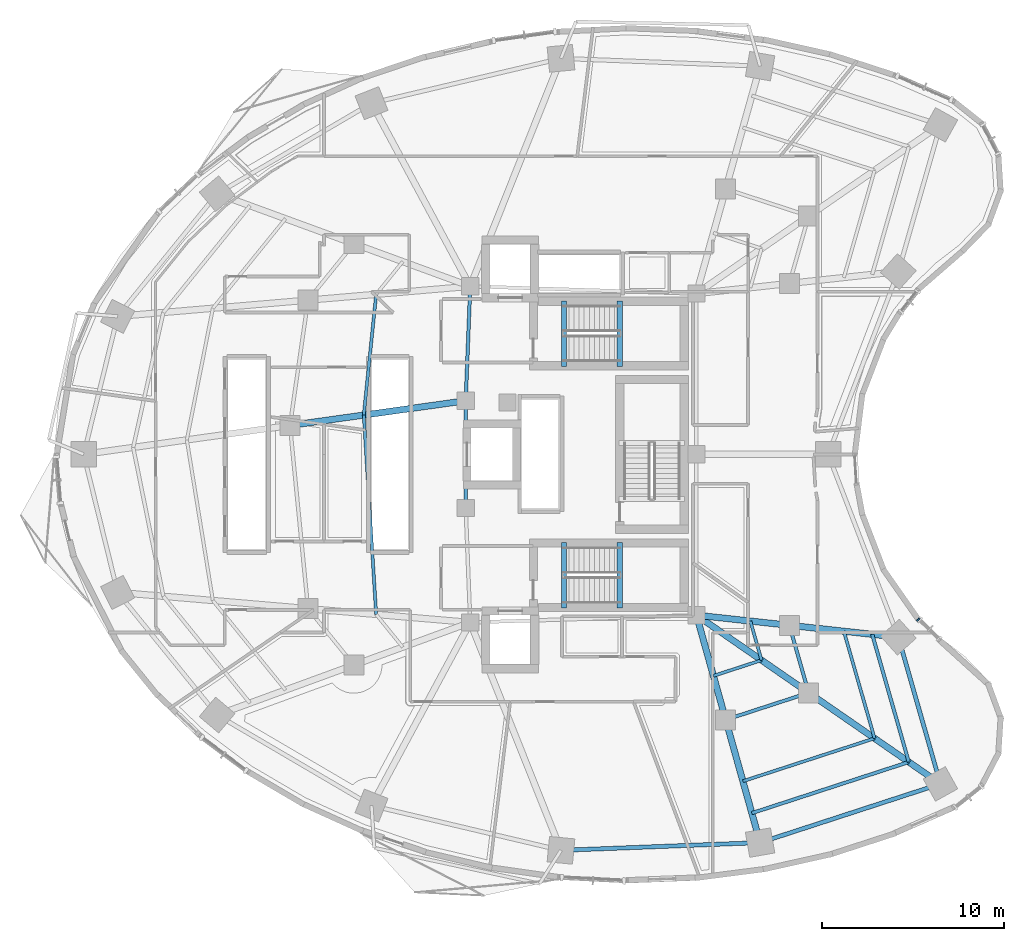
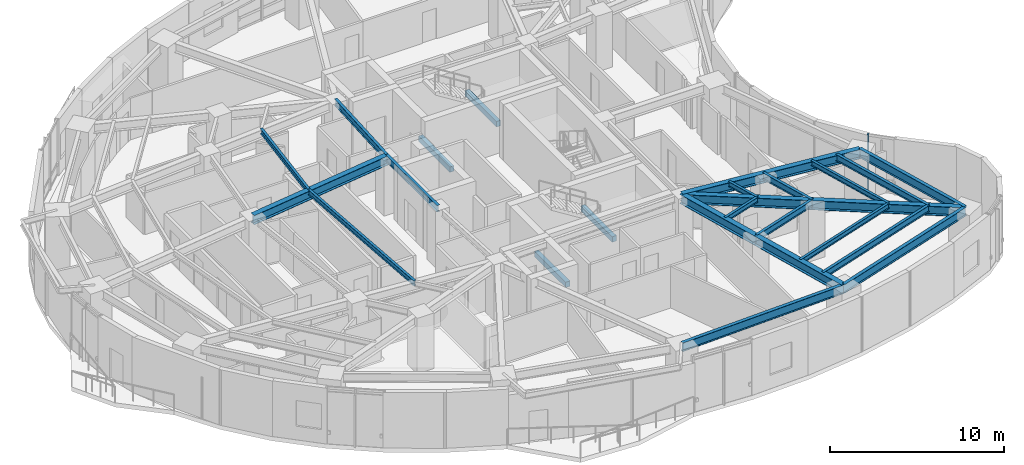
# One storey, part 3 of 16: 26 beams, 1 member, 1 element without a shape of its own.
"""IFC4 building model written with IfcOpenShell, lengths in metres."""

from ifc_helpers import new_model, si_unit, direction, frame, origin, origin_2d, place, context, subcontext, project, spatial, rectangle, i_section, extrude, material, layer, layer_set, material_profile, profile_set, type_object, element, aggregate, save


model = new_model("IFC4")

# Units and contexts
model_context = context("Model", 3, precision=1e-05, world=origin(), true_north=direction((0.0, 1.0)))
body_context = subcontext(model_context, "Body", "Model", "MODEL_VIEW")
ifc_project = project(units=[si_unit("LENGTHUNIT", "METRE"), si_unit("AREAUNIT", "SQUARE_METRE"), si_unit("VOLUMEUNIT", "CUBIC_METRE"), si_unit("PLANEANGLEUNIT", "RADIAN"), si_unit("MASSUNIT", "GRAM", prefix="KILO")], contexts=[model_context])

# Site, building, storey
site_placement = place(None, origin())
site = spatial("IfcSite", under=ifc_project, at=site_placement, CompositionType="ELEMENT")
building_placement = place(site_placement, origin())
building = spatial("IfcBuilding", under=site, at=building_placement, Name="Korentha Bioscience Tower", CompositionType="ELEMENT")
storey_placement = place(building_placement, frame((0.0, 0.0, 55.199951171875)))
storey = spatial("IfcBuildingStorey", under=building, at=storey_placement, Name="L12", CompositionType="ELEMENT", Elevation=55.199951171875)

# Beams
ifc_material_1 = material(Name="Concrete C50", Category="concrete")
ifc_material_profile_1 = material_profile(ifc_material_1, rectangle(XDim=0.280029296875, YDim=0.3798828125, at=origin_2d()), Name="Concrete C50")
ifc_profile_set_1 = profile_set([ifc_material_profile_1], Name="Concrete C50 (ST-HB380)")
beam_type_1 = type_object("IfcBeamType", Name="Concrete Stair Header Beam RC 280x380", PredefinedType="BEAM", material=ifc_profile_set_1)
for number, where, z_axis, x_axis, name in (
    (1, (30.25, 31.85009765625, -0.18994140625), (0.0, 1.0, 0.0), (-1.0, 0.0, 0.0), "L12 ST-1 Concrete Stair Header Beam"),
    (2, (33.330078125, 31.85009765625, 1.91015625), (0.0, 1.0, 0.0), (-1.0, 0.0, 0.0), "L12 ST-1 Half-Landing Header Beam 1"),
    (3, (30.25, 18.550048828125, -0.18994140625), (0.0, 1.0, 0.0), (-1.0, 0.0, 0.0), "L12 ST-2 Concrete Stair Header Beam"),
    (4, (33.330078125, 18.550048828125, 1.91015625), (0.0, 1.0, 0.0), (-1.0, 0.0, 0.0), "L12 ST-2 Half-Landing Header Beam 1"),
):
    element("IfcBeam", number, at=place(storey_placement, frame(where, z_axis=z_axis, x_axis=x_axis)), inside=storey, type_object=beam_type_1, Name=name, PredefinedType="BEAM", context=body_context, shape_type="SweptSolid", body=[
        extrude(rectangle(XDim=0.280029296875, YDim=0.3798828125, at=origin_2d()), origin(), (0.0, 0.0, 1.0), 3.599853515625),
    ])
ifc_material_2 = material(Name="Steel S355", Category="steel")
ifc_material_profile_2 = material_profile(ifc_material_2, i_section(OverallWidth=0.18994140625, OverallDepth=0.45703125, WebThickness=0.009033203125, FlangeThickness=0.014404296875, at=origin_2d()), Name="Steel S355")
ifc_profile_set_2 = profile_set([ifc_material_profile_2], Name="Steel S355 (MB-460)")
beam_type_2 = type_object("IfcBeamType", Name="Mid-Ring Tie Girder W460x74", PredefinedType="BEAM", material=ifc_profile_set_2)
beam_1_placement = place(storey_placement, frame((39.1611328125, 12.392333984375, 3.671630859375), z_axis=(0.950877001105, 0.309568940253, 0.0), x_axis=(-0.309568940253, 0.950877001105, 0.0)))
element("IfcBeam", 5, at=beam_1_placement, inside=storey, type_object=beam_type_2, Name="L12 Mid-Ring Tie Girder 12", PredefinedType="BEAM", context=body_context, shape_type="SweptSolid", body=[
    extrude(i_section(OverallWidth=0.18994140625, OverallDepth=0.45703125, WebThickness=0.009033203125, FlangeThickness=0.014404296875, at=origin_2d()), origin(), (0.0, 0.0, 1.0), 4.80126953125),
])
beam_2_placement = place(storey_placement, frame((43.7265625, 13.878662109375, 3.671630859375), z_axis=(-0.27560557792, 0.961270807535, 0.0), x_axis=(-0.961270807535, -0.27560557792, 0.0)))
element("IfcBeam", 6, at=beam_2_placement, inside=storey, type_object=beam_type_2, Name="L12 Mid-Ring Tie Girder 13", PredefinedType="BEAM", context=body_context, shape_type="SweptSolid", body=[
    extrude(i_section(OverallWidth=0.18994140625, OverallDepth=0.45703125, WebThickness=0.009033203125, FlangeThickness=0.014404296875, at=origin_2d()), origin(), (0.0, 0.0, 1.0), 3.864013671875),
])
beam_3_placement = place(storey_placement, frame((25.10009765625, 36.25, 3.671630859375), z_axis=(-0.039651025576, -0.999213588864, 0.0), x_axis=(0.999213588864, -0.039651025576, 0.0)))
element("IfcBeam", 7, at=beam_3_placement, inside=storey, type_object=beam_type_2, Name="L12 Core Ring Tie Girder 02", PredefinedType="BEAM", context=body_context, shape_type="SweptSolid", body=[
    extrude(i_section(OverallWidth=0.18994140625, OverallDepth=0.45703125, WebThickness=0.009033203125, FlangeThickness=0.014404296875, at=origin_2d()), origin(), (0.0, 0.0, 1.0), 6.304931640625),
])
beam_4_placement = place(storey_placement, frame((24.85009765625, 29.949951171875, 3.671630859375), z_axis=(0.0, -1.0, 0.0), x_axis=(1.0, 0.0, 0.0)))
element("IfcBeam", 8, at=beam_4_placement, inside=storey, type_object=beam_type_2, Name="L12 Core Ring Tie Girder 03", PredefinedType="BEAM", context=body_context, shape_type="SweptSolid", body=[
    extrude(i_section(OverallWidth=0.18994140625, OverallDepth=0.45703125, WebThickness=0.009033203125, FlangeThickness=0.014404296875, at=origin_2d()), origin(), (0.0, 0.0, 1.0), 5.89990234375),
])

# Curtain wall, member
ifc_material_3 = material(Name="Thermally Broken Aluminium Frame", Category="aluminium")
ifc_layer = layer(ifc_material_3, 0.219970703125, Name="Thermally Broken Aluminium Frame")
ifc_layer_set = layer_set([ifc_layer], Name="Thermally Broken Aluminium Frame (CW-T2)")
curtain_wall_type = type_object("IfcCurtainWallType", Name="Solar-Screened Lab Unitised Curtain Wall CW-T2", PredefinedType="USERDEFINED", material=ifc_layer_set)
curtain_wall_placement = place(storey_placement, origin())
curtain_wall = element("IfcCurtainWall", 9, at=curtain_wall_placement, inside=storey, type_object=curtain_wall_type, Name="L12 Curtain Wall 43", ObjectType="UNITISED", PredefinedType="USERDEFINED")
ifc_material_4 = material(Name="Anodised Aluminium 6063-T6", Category="aluminium")
ifc_material_profile_3 = material_profile(ifc_material_4, rectangle(XDim=0.090087890625, YDim=0.199951171875, at=origin_2d()), Name="Anodised Aluminium 6063-T6")
ifc_profile_set_3 = profile_set([ifc_material_profile_3], Name="Anodised Aluminium 6063-T6 (CW-MUL)")
member_type = type_object("IfcMemberType", Name="Mullion RECT 90x200", PredefinedType="MULLION", material=ifc_profile_set_3)
member_placement = place(storey_placement, frame((49.752685546875, 17.90625, 0.0), z_axis=(0.0, 0.0, 1.0), x_axis=(-0.713279246754, 0.700879958445, 0.0)))
member = element("IfcMember", 10, at=member_placement, type_object=member_type, Name="CW-L12-43 Mullion 2", PredefinedType="MULLION", context=body_context, shape_type="SweptSolid", body=[
    extrude(rectangle(XDim=0.090087890625, YDim=0.199951171875, at=origin_2d()), origin(), (0.0, 0.0, 1.0), 3.900146484375),
])
aggregate(curtain_wall, [member])

# Beams
ifc_material_profile_4 = material_profile(ifc_material_2, i_section(OverallWidth=0.22802734375, OverallDepth=0.60791015625, WebThickness=0.01123046875, FlangeThickness=0.017333984375, at=origin_2d()), Name="Steel S355")
ifc_profile_set_4 = profile_set([ifc_material_profile_4], Name="Steel S355 (SB-610)")
beam_type_3 = type_object("IfcBeamType", Name="Perimeter Ring Spandrel Girder W610x113", PredefinedType="SPANDREL", material=ifc_profile_set_4)
beam_5_placement = place(storey_placement, frame((30.09423828125, 5.20751953125, 3.595947265625), z_axis=(0.999246003889, 0.03882555488, 0.0), x_axis=(-0.03882555488, 0.999246003889, 0.0)))
element("IfcBeam", 11, at=beam_5_placement, inside=storey, type_object=beam_type_3, Name="L12 Perimeter Spandrel Girder 11", PredefinedType="SPANDREL", context=body_context, shape_type="SweptSolid", body=[
    extrude(i_section(OverallWidth=0.22802734375, OverallDepth=0.60791015625, WebThickness=0.01123046875, FlangeThickness=0.017333984375, at=origin_2d()), origin(), (0.0, 0.0, 1.0), 10.966552734375),
])
beam_6_placement = place(storey_placement, frame((41.052490234375, 5.63330078125, 3.595947265625), z_axis=(0.95087511444, 0.309574735305, 0.0), x_axis=(-0.309574735305, 0.95087511444, 0.0)))
element("IfcBeam", 12, at=beam_6_placement, inside=storey, type_object=beam_type_3, Name="L12 Perimeter Spandrel Girder 12", PredefinedType="SPANDREL", context=body_context, shape_type="SweptSolid", body=[
    extrude(i_section(OverallWidth=0.22802734375, OverallDepth=0.60791015625, WebThickness=0.01123046875, FlangeThickness=0.017333984375, at=origin_2d()), origin(), (0.0, 0.0, 1.0), 10.4375),
])
beam_7_placement = place(storey_placement, frame((50.977294921875, 8.864501953125, 3.595947265625), z_axis=(-0.275642273411, 0.961260285827, 0.0), x_axis=(-0.961260285827, -0.275642273411, 0.0)))
element("IfcBeam", 13, at=beam_7_placement, inside=storey, type_object=beam_type_3, Name="L12 Perimeter Spandrel Girder 13", PredefinedType="SPANDREL", context=body_context, shape_type="SweptSolid", body=[
    extrude(i_section(OverallWidth=0.22802734375, OverallDepth=0.60791015625, WebThickness=0.01123046875, FlangeThickness=0.017333984375, at=origin_2d()), origin(), (0.0, 0.0, 1.0), 8.400146484375),
])
ifc_material_profile_5 = material_profile(ifc_material_2, i_section(OverallWidth=0.18994140625, OverallDepth=0.45703125, WebThickness=0.009033203125, FlangeThickness=0.014404296875, at=origin_2d()), Name="Steel S355")
ifc_profile_set_5 = profile_set([ifc_material_profile_5], Name="Steel S355 (RB-460)")
beam_type_4 = type_object("IfcBeamType", Name="Radial Laboratory Beam W460x74", PredefinedType="BEAM", material=ifc_profile_set_5)
beam_8_placement = place(storey_placement, frame((40.5986328125, 7.255615234375, 3.671630859375), z_axis=(0.95087437499, 0.309577006554, 0.0), x_axis=(-0.309577006554, 0.95087437499, 0.0)))
element("IfcBeam", 14, at=beam_8_placement, inside=storey, type_object=beam_type_4, Name="L12 Secondary Floor Beam JSTO-12", PredefinedType="BEAM", context=body_context, shape_type="SweptSolid", body=[
    extrude(i_section(OverallWidth=0.18994140625, OverallDepth=0.45703125, WebThickness=0.009033203125, FlangeThickness=0.014404296875, at=origin_2d()), origin(), (0.0, 0.0, 1.0), 9.0849609375),
])
beam_9_placement = place(storey_placement, frame((49.2373046875, 10.068115234375, 3.671630859375), z_axis=(-0.275682421415, 0.961248772443, 0.0), x_axis=(-0.961248772443, -0.275682421415, 0.0)))
element("IfcBeam", 15, at=beam_9_placement, inside=storey, type_object=beam_type_4, Name="L12 Secondary Floor Beam JSTO-13", PredefinedType="BEAM", context=body_context, shape_type="SweptSolid", body=[
    extrude(i_section(OverallWidth=0.18994140625, OverallDepth=0.45703125, WebThickness=0.009033203125, FlangeThickness=0.014404296875, at=origin_2d()), origin(), (0.0, 0.0, 1.0), 7.3115234375),
])
ifc_material_profile_6 = material_profile(ifc_material_2, i_section(OverallWidth=0.35009765625, OverallDepth=0.64990234375, WebThickness=0.01611328125, FlangeThickness=0.02490234375, at=origin_2d()), Name="Steel S355")
ifc_profile_set_6 = profile_set([ifc_material_profile_6], Name="Steel S355 (RB-650)")
beam_type_5 = type_object("IfcBeamType", Name="Radial Laboratory Girder CVS 650x208", PredefinedType="BEAM", material=ifc_profile_set_6)
beam_10_placement = place(storey_placement, frame((24.85009765625, 29.949951171875, 3.574951171875), z_axis=(-0.990307253072, -0.138894004596, 0.0), x_axis=(0.138894004596, -0.990307253072, 0.0)))
element("IfcBeam", 16, at=beam_10_placement, inside=storey, type_object=beam_type_5, Name="L12 Inner Radial Girder 07", PredefinedType="BEAM", context=body_context, shape_type="SweptSolid", body=[
    extrude(i_section(OverallWidth=0.35009765625, OverallDepth=0.64990234375, WebThickness=0.01611328125, FlangeThickness=0.02490234375, at=origin_2d()), origin(), (0.0, 0.0, 1.0), 9.76611328125),
])
beam_11_placement = place(storey_placement, frame((37.550048828125, 18.14990234375, 3.574951171875), z_axis=(0.269469369205, -0.963008961049, 0.0), x_axis=(0.963008961049, 0.269469369205, 0.0)))
element("IfcBeam", 17, at=beam_11_placement, inside=storey, type_object=beam_type_5, Name="L12 Inner Radial Girder 12", PredefinedType="BEAM", context=body_context, shape_type="SweptSolid", body=[
    extrude(i_section(OverallWidth=0.35009765625, OverallDepth=0.64990234375, WebThickness=0.01611328125, FlangeThickness=0.02490234375, at=origin_2d()), origin(), (0.0, 0.0, 1.0), 5.978759765625),
])
beam_12_placement = place(storey_placement, frame((39.1611328125, 12.392333984375, 3.574951171875), z_axis=(0.269475095129, -0.963007358801, 0.0), x_axis=(0.963007358801, 0.269475095129, 0.0)))
element("IfcBeam", 18, at=beam_12_placement, inside=storey, type_object=beam_type_5, Name="L12 Outer Radial Girder 12", PredefinedType="BEAM", context=body_context, shape_type="SweptSolid", body=[
    extrude(i_section(OverallWidth=0.35009765625, OverallDepth=0.64990234375, WebThickness=0.01611328125, FlangeThickness=0.02490234375, at=origin_2d()), origin(), (0.0, 0.0, 1.0), 7.0185546875),
])
beam_13_placement = place(storey_placement, frame((37.550048828125, 18.14990234375, 3.574951171875), z_axis=(0.822491697625, -0.568777115694, 0.0), x_axis=(0.568777115694, 0.822491697625, 0.0)))
element("IfcBeam", 19, at=beam_13_placement, inside=storey, type_object=beam_type_5, Name="L12 Inner Radial Girder 13", PredefinedType="BEAM", context=body_context, shape_type="SweptSolid", body=[
    extrude(i_section(OverallWidth=0.35009765625, OverallDepth=0.64990234375, WebThickness=0.01611328125, FlangeThickness=0.02490234375, at=origin_2d()), origin(), (0.0, 0.0, 1.0), 7.509521484375),
])
beam_14_placement = place(storey_placement, frame((43.7265625, 13.878662109375, 3.574951171875), z_axis=(0.822488186113, -0.568782193555, 0.0), x_axis=(0.568782193555, 0.822488186113, 0.0)))
element("IfcBeam", 20, at=beam_14_placement, inside=storey, type_object=beam_type_5, Name="L12 Outer Radial Girder 13", PredefinedType="BEAM", context=body_context, shape_type="SweptSolid", body=[
    extrude(i_section(OverallWidth=0.35009765625, OverallDepth=0.64990234375, WebThickness=0.01611328125, FlangeThickness=0.02490234375, at=origin_2d()), origin(), (0.0, 0.0, 1.0), 8.815673828125),
])
beam_15_placement = place(storey_placement, frame((37.550048828125, 18.14990234375, 3.574951171875), z_axis=(0.994117709144, -0.10830503389, 0.0), x_axis=(0.10830503389, 0.994117709144, 0.0)))
element("IfcBeam", 21, at=beam_15_placement, inside=storey, type_object=beam_type_5, Name="L12 Inner Radial Girder 14", PredefinedType="BEAM", context=body_context, shape_type="SweptSolid", body=[
    extrude(i_section(OverallWidth=0.35009765625, OverallDepth=0.64990234375, WebThickness=0.01611328125, FlangeThickness=0.02490234375, at=origin_2d()), origin(), (0.0, 0.0, 1.0), 5.141845703125),
])
beam_16_placement = place(storey_placement, frame((42.66162109375, 17.593017578125, 3.574951171875), z_axis=(0.994115805925, -0.108322501862, 0.0), x_axis=(0.108322501862, 0.994115805925, 0.0)))
element("IfcBeam", 22, at=beam_16_placement, inside=storey, type_object=beam_type_5, Name="L12 Outer Radial Girder 14", PredefinedType="BEAM", context=body_context, shape_type="SweptSolid", body=[
    extrude(i_section(OverallWidth=0.35009765625, OverallDepth=0.64990234375, WebThickness=0.01611328125, FlangeThickness=0.02490234375, at=origin_2d()), origin(), (0.0, 0.0, 1.0), 6.03564453125),
])
ifc_material_profile_7 = material_profile(ifc_material_2, i_section(OverallWidth=0.1708984375, OverallDepth=0.35498046875, WebThickness=0.007080078125, FlangeThickness=0.01171875, at=origin_2d()), Name="Steel S355")
ifc_profile_set_7 = profile_set([ifc_material_profile_7], Name="Steel S355 (JB-360)")
beam_type_6 = type_object("IfcBeamType", Name="Secondary Laboratory Joist W360x51", PredefinedType="JOIST", material=ifc_profile_set_7)
beam_17_placement = place(storey_placement, frame((19.9228515625, 35.80859375, 3.72265625), z_axis=(-0.102144778597, -0.994769543264, 0.0), x_axis=(0.994769543264, -0.102144778597, 0.0)))
element("IfcBeam", 23, at=beam_17_placement, inside=storey, type_object=beam_type_6, Name="L12 Inner Bay Joist 06", PredefinedType="JOIST", context=body_context, shape_type="SweptSolid", body=[
    extrude(i_section(OverallWidth=0.1708984375, OverallDepth=0.35498046875, WebThickness=0.007080078125, FlangeThickness=0.01171875, at=origin_2d()), origin(), (0.0, 0.0, 1.0), 6.680419921875),
])
beam_18_placement = place(storey_placement, frame((19.240478515625, 29.1630859375, 3.72265625), z_axis=(0.062074098012, -0.998071543706, 0.0), x_axis=(0.998071543706, 0.062074098012, 0.0)))
element("IfcBeam", 24, at=beam_18_placement, inside=storey, type_object=beam_type_6, Name="L12 Inner Bay Joist 07", PredefinedType="JOIST", context=body_context, shape_type="SweptSolid", body=[
    extrude(i_section(OverallWidth=0.1708984375, OverallDepth=0.35498046875, WebThickness=0.007080078125, FlangeThickness=0.01171875, at=origin_2d()), origin(), (0.0, 0.0, 1.0), 10.992919921875),
])
beam_19_placement = place(storey_placement, frame((40.10693359375, 9.0126953125, 3.72265625), z_axis=(0.950870992772, 0.309587394938, 0.0), x_axis=(-0.309587394938, 0.950870992772, 0.0)))
element("IfcBeam", 25, at=beam_19_placement, inside=storey, type_object=beam_type_6, Name="L12 Secondary Floor Beam JST-12", PredefinedType="JOIST", context=body_context, shape_type="SweptSolid", body=[
    extrude(i_section(OverallWidth=0.1708984375, OverallDepth=0.35498046875, WebThickness=0.007080078125, FlangeThickness=0.01171875, at=origin_2d()), origin(), (0.0, 0.0, 1.0), 7.619384765625),
])
beam_20_placement = place(storey_placement, frame((38.484619140625, 14.810546875, 3.72265625), z_axis=(0.950869630746, 0.309591578254, 0.0), x_axis=(-0.309591578254, 0.950869630746, 0.0)))
element("IfcBeam", 26, at=beam_20_placement, inside=storey, type_object=beam_type_6, Name="L12 Inner Bay Joist 12", PredefinedType="JOIST", context=body_context, shape_type="SweptSolid", body=[
    extrude(i_section(OverallWidth=0.1708984375, OverallDepth=0.35498046875, WebThickness=0.007080078125, FlangeThickness=0.01171875, at=origin_2d()), origin(), (0.0, 0.0, 1.0), 2.784423828125),
])
beam_21_placement = place(storey_placement, frame((47.35205078125, 11.37158203125, 3.72265625), z_axis=(-0.275667500387, 0.96125305161, 0.0), x_axis=(-0.96125305161, -0.275667500387, 0.0)))
element("IfcBeam", 27, at=beam_21_placement, inside=storey, type_object=beam_type_6, Name="L12 Secondary Floor Beam JST-13", PredefinedType="JOIST", context=body_context, shape_type="SweptSolid", body=[
    extrude(i_section(OverallWidth=0.1708984375, OverallDepth=0.35498046875, WebThickness=0.007080078125, FlangeThickness=0.01171875, at=origin_2d()), origin(), (0.0, 0.0, 1.0), 6.132080078125),
])
beam_22_placement = place(storey_placement, frame((41.13232421875, 15.672607421875, 3.72265625), z_axis=(-0.275613067773, 0.961268660091, 0.0), x_axis=(-0.961268660091, -0.275613067773, 0.0)))
element("IfcBeam", 28, at=beam_22_placement, inside=storey, type_object=beam_type_6, Name="L12 Inner Bay Joist 13", PredefinedType="JOIST", context=body_context, shape_type="SweptSolid", body=[
    extrude(i_section(OverallWidth=0.1708984375, OverallDepth=0.35498046875, WebThickness=0.007080078125, FlangeThickness=0.01171875, at=origin_2d()), origin(), (0.0, 0.0, 1.0), 2.2412109375),
])

save(model, "model.ifc")
